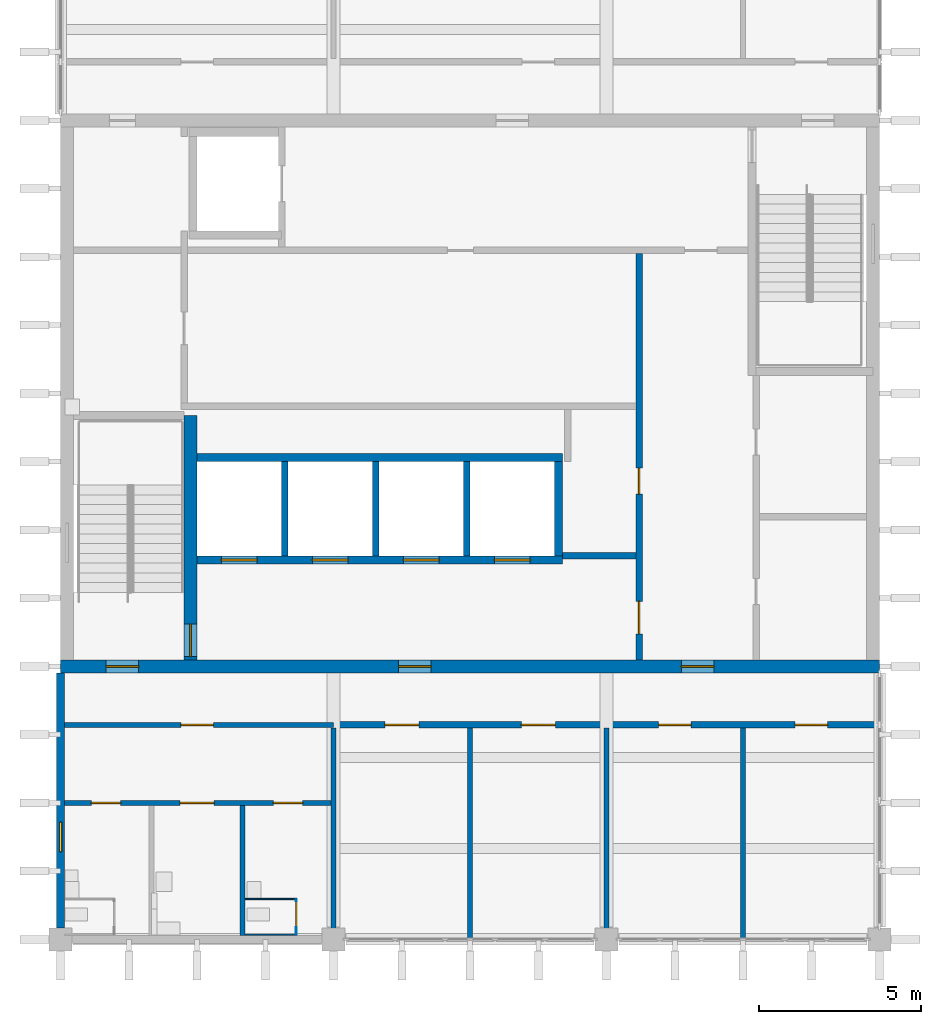
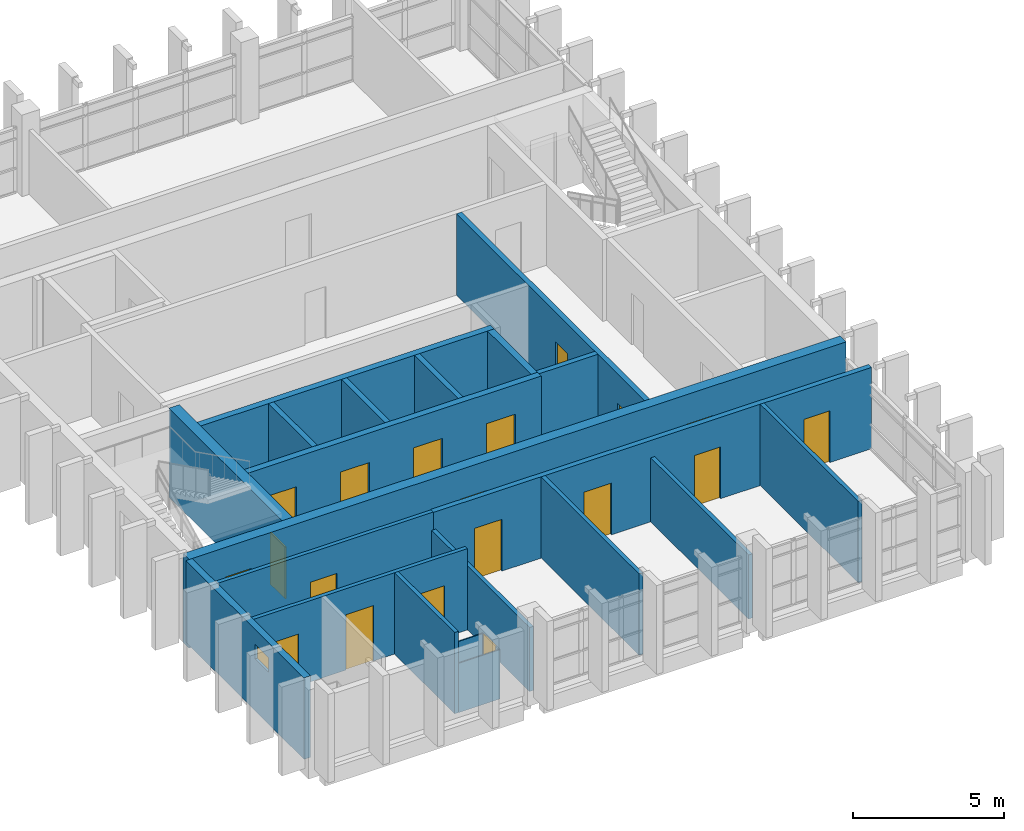
# One storey, part 7 of 11: 22 walls, 19 doors, 1 window, 20 openings.
"""IFC4 building model written with IfcOpenShell, lengths in metres."""

from ifc_helpers import new_model, si_unit, direction, frame, frame_2d, origin, place, context, subcontext, project, spatial, rectangle, extrude, material, layer, layer_set, type_object, element, fill, save


model = new_model("IFC4")

# Units and contexts
model_context = context("Model", 3, precision=1e-05, world=origin(), true_north=direction((0.0, 1.0)))
body_context = subcontext(model_context, "Body", "Model", "MODEL_VIEW")
ifc_project = project(units=[si_unit("LENGTHUNIT", "METRE"), si_unit("AREAUNIT", "SQUARE_METRE"), si_unit("VOLUMEUNIT", "CUBIC_METRE"), si_unit("PLANEANGLEUNIT", "RADIAN"), si_unit("MASSUNIT", "GRAM", prefix="KILO")], contexts=[model_context])

# Site, building, storey
site_placement = place(None, origin())
site = spatial("IfcSite", under=ifc_project, at=site_placement, CompositionType="ELEMENT")
building_placement = place(site_placement, origin())
building = spatial("IfcBuilding", under=site, at=building_placement, Name="Rulbaag Community and Learning Centre", CompositionType="ELEMENT")
storey_placement = place(building_placement, frame((0.0, 0.0, 50.39990234375)))
storey = spatial("IfcBuildingStorey", under=building, at=storey_placement, Name="L13", CompositionType="ELEMENT", Elevation=50.39990234375)

# Walls
ifc_material_1 = material(Name="High pressure laminate", Category="wood")
ifc_layer_1 = layer(ifc_material_1, 0.0400390625)
ifc_layer_set_1 = layer_set([ifc_layer_1], Name="CP-40")
wall_type_1 = type_object("IfcWallType", Name="CP-40", PredefinedType="PARTITIONING", material=ifc_layer_set_1)
for number, where, z_axis, x_axis, name in (
    (1, (148.47509765625, 84.14501953125, 0.0), (0.0, 0.0, 1.0), (1.0, 0.0, 0.0), "Cubicle partition"),
    (2, (148.47509765625, 85.239990234375, 0.0), (0.0, 0.0, 1.0), (1.0, 0.0, 0.0), "Cubicle partition"),
):
    element("IfcWall", number, at=place(storey_placement, frame(where, z_axis=z_axis, x_axis=x_axis)), inside=storey, type_object=wall_type_1, Name=name, PredefinedType="PARTITIONING", context=body_context, shape_type="SweptSolid", body=[
        extrude(rectangle(XDim=1.594970703125, YDim=0.0400390625, at=frame_2d((0.79736328125, 0.0))), origin(), (0.0, 0.0, 1.0), 2.0),
    ])

# Wall, opening, door
wall_1_placement = place(storey_placement, frame((150.050048828125, 84.1650390625, 0.0), z_axis=(0.0, 0.0, 1.0), x_axis=(0.0, 1.0, 0.0)))
wall_1 = element("IfcWall", 3, at=wall_1_placement, inside=storey, type_object=wall_type_1, Name="Cubicle partition", PredefinedType="PARTITIONING", context=body_context, shape_type="SweptSolid", body=[
    extrude(rectangle(XDim=1.054931640625, YDim=0.0400390625, at=frame_2d((0.52734375, 0.0))), origin(), (0.0, 0.0, 1.0), 2.0),
])
opening_1_placement = place(wall_1_placement, frame((0.205078125, 0.0, 0.0)))
opening_1 = element("IfcOpeningElement", 4, at=opening_1_placement, cuts=wall_1, Name="Opening L13-D013", PredefinedType="OPENING", context=body_context, shape_type="SweptSolid", body=[
    extrude(rectangle(XDim=0.800048828125, YDim=2.0, at=frame_2d((0.39990234375, 1.0))), frame((0.0, 0.030029296875, 0.0), z_axis=(0.0, -1.0, 0.0), x_axis=(1.0, 0.0, 0.0)), (0.0, 0.0, 1.0), 0.06005859375),
])
door_type_1 = type_object("IfcDoorType", Name="DC-80", OperationType="SINGLE_SWING_LEFT", PredefinedType="DOOR", material=ifc_material_1)
door_1_placement = place(opening_1_placement, origin())
door_1 = element("IfcDoor", 5, at=door_1_placement, inside=storey, type_object=door_type_1, Name="Cubicle door", OperationType="SINGLE_SWING_LEFT", OverallHeight=2.0, OverallWidth=0.800048828125, PredefinedType="DOOR", context=body_context, shape_type="SweptSolid", body=[
    extrude(rectangle(XDim=0.800048828125, YDim=2.0, at=frame_2d((0.39990234375, 1.0))), frame((0.0, 0.019775390625, 0.0), z_axis=(0.0, -1.0, 0.0), x_axis=(1.0, 0.0, 0.0)), (0.0, 0.0, 1.0), 0.03955078125),
])
fill(opening_1, door_1)

# Wall, opening, window
ifc_material_2 = material(Name="Concrete M40", Category="concrete")
ifc_layer_2 = layer(ifc_material_2, 0.25)
ifc_layer_set_2 = layer_set([ifc_layer_2], Name="EW-CONC250")
wall_type_2 = type_object("IfcWallType", Name="EW-CONC250", PredefinedType="STANDARD", material=ifc_layer_set_2)
wall_2_placement = place(storey_placement, frame((142.800048828125, 84.35009765625, 0.0), z_axis=(0.0, 0.0, 1.0), x_axis=(0.0, 1.0, 0.0)))
wall_2 = element("IfcWall", 6, at=wall_2_placement, inside=storey, type_object=wall_type_2, Name="Board-marked concrete cladding wall BW", PredefinedType="STANDARD", context=body_context, shape_type="SweptSolid", body=[
    extrude(rectangle(XDim=7.849853515625, YDim=0.25, at=frame_2d((3.9248046875, 0.0))), origin(), (0.0, 0.0, 1.0), 3.300048828125),
])
opening_2_placement = place(wall_2_placement, frame((2.35009765625, 0.0, 2.10009765625)))
opening_2 = element("IfcOpeningElement", 7, at=opening_2_placement, cuts=wall_2, Name="Opening WN5", PredefinedType="OPENING", context=body_context, shape_type="SweptSolid", body=[
    extrude(rectangle(XDim=0.89990234375, YDim=0.60009765625, at=frame_2d((0.449951171875, 0.300048828125))), frame((0.0, 0.135009765625, 0.0), z_axis=(0.0, -1.0, 0.0), x_axis=(1.0, 0.0, 0.0)), (0.0, 0.0, 1.0), 0.27001953125),
])
ifc_material_3 = material(Name="Aluminium", Category="aluminium")
window_type = type_object("IfcWindowType", Name="WK-09", PartitioningType="SINGLE_PANEL", PredefinedType="WINDOW", material=ifc_material_3)
window_placement = place(opening_2_placement, origin())
window = element("IfcWindow", 8, at=window_placement, inside=storey, type_object=window_type, Name="Window WN5", OverallHeight=0.60009765625, OverallWidth=0.89990234375, PartitioningType="SINGLE_PANEL", PredefinedType="WINDOW", context=body_context, shape_type="SweptSolid", body=[
    extrude(rectangle(XDim=0.89990234375, YDim=0.60009765625, at=frame_2d((0.449951171875, 0.300048828125))), frame((0.0, 0.030029296875, 0.0), z_axis=(0.0, -1.0, 0.0), x_axis=(1.0, 0.0, 0.0)), (0.0, 0.0, 1.0), 0.06005859375),
])
fill(opening_2, window)

# Wall, openings, doors
ifc_material_4 = material(Name="Concrete blockwork", Category="masonry")
ifc_layer_3 = layer(ifc_material_4, 0.199951171875)
ifc_layer_set_3 = layer_set([ifc_layer_3], Name="FW-200 FIRE WALL 200")
wall_type_3 = type_object("IfcWallType", Name="FW-200 FIRE WALL 200", PredefinedType="SOLIDWALL", material=ifc_layer_set_3)
wall_3_placement = place(storey_placement, frame((151.199951171875, 90.60009765625, 0.0), z_axis=(0.0, 0.0, 1.0), x_axis=(1.0, 0.0, 0.0)))
wall_3 = element("IfcWall", 9, at=wall_3_placement, inside=storey, type_object=wall_type_3, Name="Fire wall L13 3", PredefinedType="SOLIDWALL", context=body_context, shape_type="SweptSolid", body=[
    extrude(rectangle(XDim=16.800048828125, YDim=0.199951171875, at=frame_2d((8.39990234375, 0.0))), origin(), (0.0, 0.0, 1.0), 3.300048828125),
])
opening_3_placement = place(wall_3_placement, frame((1.574951171875, 0.0, 0.0)))
opening_3 = element("IfcOpeningElement", 10, at=opening_3_placement, cuts=wall_3, Name="Opening L13-D015", PredefinedType="OPENING", context=body_context, shape_type="SweptSolid", body=[
    extrude(rectangle(XDim=1.050048828125, YDim=2.10009765625, at=frame_2d((0.52490234375, 1.050048828125))), frame((0.0, 0.10986328125, 0.0), z_axis=(0.0, -1.0, 0.0), x_axis=(1.0, 0.0, 0.0)), (0.0, 0.0, 1.0), 0.219970703125),
])
opening_4_placement = place(wall_3_placement, frame((5.77490234375, 0.0, 0.0)))
opening_4 = element("IfcOpeningElement", 11, at=opening_4_placement, cuts=wall_3, Name="Opening L13-D021", PredefinedType="OPENING", context=body_context, shape_type="SweptSolid", body=[
    extrude(rectangle(XDim=1.050048828125, YDim=2.10009765625, at=frame_2d((0.52490234375, 1.050048828125))), frame((0.0, 0.10986328125, 0.0), z_axis=(0.0, -1.0, 0.0), x_axis=(1.0, 0.0, 0.0)), (0.0, 0.0, 1.0), 0.219970703125),
])
opening_5_placement = place(wall_3_placement, frame((10.0, 0.0, 0.0)))
opening_5 = element("IfcOpeningElement", 12, at=opening_5_placement, cuts=wall_3, Name="Opening L13-D025", PredefinedType="OPENING", context=body_context, shape_type="SweptSolid", body=[
    extrude(rectangle(XDim=1.0, YDim=2.10009765625, at=frame_2d((0.5, 1.050048828125))), frame((0.0, 0.10986328125, 0.0), z_axis=(0.0, -1.0, 0.0), x_axis=(1.0, 0.0, 0.0)), (0.0, 0.0, 1.0), 0.219970703125),
])
opening_6_placement = place(wall_3_placement, frame((14.199951171875, 0.0, 0.0)))
opening_6 = element("IfcOpeningElement", 13, at=opening_6_placement, cuts=wall_3, Name="Opening L13-D031", PredefinedType="OPENING", context=body_context, shape_type="SweptSolid", body=[
    extrude(rectangle(XDim=1.0, YDim=2.10009765625, at=frame_2d((0.5, 1.050048828125))), frame((0.0, 0.10986328125, 0.0), z_axis=(0.0, -1.0, 0.0), x_axis=(1.0, 0.0, 0.0)), (0.0, 0.0, 1.0), 0.219970703125),
])
ifc_material_5 = material(Name="Galvanised steel", Category="steel")
door_type_2 = type_object("IfcDoorType", Name="FD-1000 FIRE DOOR 1000 x 2100", OperationType="SINGLE_SWING_LEFT", PredefinedType="DOOR", material=ifc_material_5)
door_2_placement = place(opening_5_placement, origin())
door_2 = element("IfcDoor", 14, at=door_2_placement, inside=storey, type_object=door_type_2, Name="Door L13-D025", OperationType="SINGLE_SWING_RIGHT", OverallHeight=2.10009765625, OverallWidth=1.0, PredefinedType="DOOR", context=body_context, shape_type="SweptSolid", body=[
    extrude(rectangle(XDim=1.0, YDim=2.10009765625, at=frame_2d((0.5, 1.050048828125))), frame((0.0, 0.02490234375, 0.0), z_axis=(0.0, -1.0, 0.0), x_axis=(1.0, 0.0, 0.0)), (0.0, 0.0, 1.0), 0.050048828125),
])
fill(opening_5, door_2)
door_3_placement = place(opening_6_placement, origin())
door_3 = element("IfcDoor", 15, at=door_3_placement, inside=storey, type_object=door_type_2, Name="Door L13-D031", OperationType="SINGLE_SWING_RIGHT", OverallHeight=2.10009765625, OverallWidth=1.0, PredefinedType="DOOR", context=body_context, shape_type="SweptSolid", body=[
    extrude(rectangle(XDim=1.0, YDim=2.10009765625, at=frame_2d((0.5, 1.050048828125))), frame((0.0, 0.02490234375, 0.0), z_axis=(0.0, -1.0, 0.0), x_axis=(1.0, 0.0, 0.0)), (0.0, 0.0, 1.0), 0.050048828125),
])
fill(opening_6, door_3)
ifc_material_6 = material(Name="Timber", Category="wood")
door_type_3 = type_object("IfcDoorType", Name="FD-1050 GLAZED MEETING ROOM FIRE DOOR 1050 x 2100", OperationType="SINGLE_SWING_LEFT", PredefinedType="DOOR", material=ifc_material_6)
door_4_placement = place(opening_3_placement, origin())
door_4 = element("IfcDoor", 16, at=door_4_placement, inside=storey, type_object=door_type_3, Name="Door L13-D015", OperationType="SINGLE_SWING_LEFT", OverallHeight=2.10009765625, OverallWidth=1.050048828125, PredefinedType="DOOR", context=body_context, shape_type="SweptSolid", body=[
    extrude(rectangle(XDim=1.050048828125, YDim=2.10009765625, at=frame_2d((0.52490234375, 1.050048828125))), frame((0.0, 0.02490234375, 0.0), z_axis=(0.0, -1.0, 0.0), x_axis=(1.0, 0.0, 0.0)), (0.0, 0.0, 1.0), 0.050048828125),
])
fill(opening_3, door_4)
door_5_placement = place(opening_4_placement, origin())
door_5 = element("IfcDoor", 17, at=door_5_placement, inside=storey, type_object=door_type_3, Name="Door L13-D021", OperationType="SINGLE_SWING_LEFT", OverallHeight=2.10009765625, OverallWidth=1.050048828125, PredefinedType="DOOR", context=body_context, shape_type="SweptSolid", body=[
    extrude(rectangle(XDim=1.050048828125, YDim=2.10009765625, at=frame_2d((0.52490234375, 1.050048828125))), frame((0.0, 0.02490234375, 0.0), z_axis=(0.0, -1.0, 0.0), x_axis=(1.0, 0.0, 0.0)), (0.0, 0.0, 1.0), 0.050048828125),
])
fill(opening_4, door_5)

# Wall
wall_4_placement = place(storey_placement, frame((158.25, 95.800048828125, 0.0), z_axis=(0.0, 0.0, 1.0), x_axis=(1.0, 0.0, 0.0)))
element("IfcWall", 18, at=wall_4_placement, inside=storey, type_object=wall_type_3, Name="Fire wall L13 5", PredefinedType="SOLIDWALL", context=body_context, shape_type="SweptSolid", body=[
    extrude(rectangle(XDim=2.25, YDim=0.199951171875, at=frame_2d((1.125, 0.0))), origin(), (0.0, 0.0, 1.0), 3.300048828125),
])

# Wall, openings, doors
wall_5_placement = place(storey_placement, frame((160.60009765625, 92.60009765625, 0.0), z_axis=(0.0, 0.0, 1.0), x_axis=(0.0, 1.0, 0.0)))
wall_5 = element("IfcWall", 19, at=wall_5_placement, inside=storey, type_object=wall_type_3, Name="Fire wall L13 21", PredefinedType="SOLIDWALL", context=body_context, shape_type="SweptSolid", body=[
    extrude(rectangle(XDim=12.5, YDim=0.199951171875, at=frame_2d((6.25, 0.0))), origin(), (0.0, 0.0, 1.0), 3.300048828125),
])
opening_7_placement = place(wall_5_placement, frame((5.10009765625, 0.0, 0.0)))
opening_7 = element("IfcOpeningElement", 20, at=opening_7_placement, cuts=wall_5, Name="Opening L13-D024", PredefinedType="OPENING", context=body_context, shape_type="SweptSolid", body=[
    extrude(rectangle(XDim=0.800048828125, YDim=2.10009765625, at=frame_2d((0.39990234375, 1.050048828125))), frame((0.0, 0.10986328125, 0.0), z_axis=(0.0, -1.0, 0.0), x_axis=(1.0, 0.0, 0.0)), (0.0, 0.0, 1.0), 0.219970703125),
])
opening_8_placement = place(wall_5_placement, frame((0.800048828125, 0.0, 0.0)))
opening_8 = element("IfcOpeningElement", 21, at=opening_8_placement, cuts=wall_5, Name="Opening L13-D023", PredefinedType="OPENING", context=body_context, shape_type="SweptSolid", body=[
    extrude(rectangle(XDim=1.0, YDim=2.10009765625, at=frame_2d((0.5, 1.050048828125))), frame((0.0, 0.10986328125, 0.0), z_axis=(0.0, -1.0, 0.0), x_axis=(1.0, 0.0, 0.0)), (0.0, 0.0, 1.0), 0.219970703125),
])
door_6_placement = place(opening_8_placement, origin())
door_6 = element("IfcDoor", 22, at=door_6_placement, inside=storey, type_object=door_type_2, Name="Door L13-D023", OperationType="SINGLE_SWING_LEFT", OverallHeight=2.10009765625, OverallWidth=1.0, PredefinedType="DOOR", context=body_context, shape_type="SweptSolid", body=[
    extrude(rectangle(XDim=1.0, YDim=2.10009765625, at=frame_2d((0.5, 1.050048828125))), frame((0.0, 0.02490234375, 0.0), z_axis=(0.0, -1.0, 0.0), x_axis=(1.0, 0.0, 0.0)), (0.0, 0.0, 1.0), 0.050048828125),
])
fill(opening_8, door_6)
door_type_4 = type_object("IfcDoorType", Name="FDR-800 RISER FIRE DOOR 800 x 2100", OperationType="SINGLE_SWING_LEFT", PredefinedType="DOOR", material=ifc_material_5)
door_7_placement = place(opening_7_placement, origin())
door_7 = element("IfcDoor", 23, at=door_7_placement, inside=storey, type_object=door_type_4, Name="Riser door L13-D022", OperationType="SINGLE_SWING_RIGHT", OverallHeight=2.10009765625, OverallWidth=0.800048828125, PredefinedType="DOOR", context=body_context, shape_type="SweptSolid", body=[
    extrude(rectangle(XDim=0.800048828125, YDim=2.10009765625, at=frame_2d((0.39990234375, 1.050048828125))), frame((0.0, 0.02490234375, 0.0), z_axis=(0.0, -1.0, 0.0), x_axis=(1.0, 0.0, 0.0)), (0.0, 0.0, 1.0), 0.050048828125),
])
fill(opening_7, door_7)

ifc_layer_4 = layer(ifc_material_4, 0.14990234375)
ifc_layer_set_4 = layer_set([ifc_layer_4], Name="IP-150 PARTITION 150")
wall_type_4 = type_object("IfcWallType", Name="IP-150 PARTITION 150", PredefinedType="PARTITIONING", material=ifc_layer_set_4)
wall_6_placement = place(storey_placement, frame((142.925048828125, 88.199951171875, 0.0), z_axis=(0.0, 0.0, 1.0), x_axis=(1.0, 0.0, 0.0)))
wall_6 = element("IfcWall", 24, at=wall_6_placement, inside=storey, type_object=wall_type_4, Name="Partition L13 1", PredefinedType="PARTITIONING", context=body_context, shape_type="SweptSolid", body=[
    extrude(rectangle(XDim=8.199951171875, YDim=0.14990234375, at=frame_2d((4.10009765625, 0.0))), origin(), (0.0, 0.0, 1.0), 3.300048828125),
])
opening_9_placement = place(wall_6_placement, frame((0.824951171875, 0.0, 0.0)))
opening_9 = element("IfcOpeningElement", 25, at=opening_9_placement, cuts=wall_6, Name="Opening L13-D001", PredefinedType="OPENING", context=body_context, shape_type="SweptSolid", body=[
    extrude(rectangle(XDim=0.89990234375, YDim=2.10009765625, at=frame_2d((0.449951171875, 1.050048828125))), frame((0.0, 0.0849609375, 0.0), z_axis=(0.0, -1.0, 0.0), x_axis=(1.0, 0.0, 0.0)), (0.0, 0.0, 1.0), 0.169921875),
])
opening_10_placement = place(wall_6_placement, frame((3.550048828125, 0.0, 0.0)))
opening_10 = element("IfcOpeningElement", 26, at=opening_10_placement, cuts=wall_6, Name="Opening L13-D007", PredefinedType="OPENING", context=body_context, shape_type="SweptSolid", body=[
    extrude(rectangle(XDim=1.050048828125, YDim=2.25, at=frame_2d((0.52490234375, 1.125))), frame((0.0, 0.0849609375, 0.0), z_axis=(0.0, -1.0, 0.0), x_axis=(1.0, 0.0, 0.0)), (0.0, 0.0, 1.0), 0.169921875),
])
opening_11_placement = place(wall_6_placement, frame((6.425048828125, 0.0, 0.0)))
opening_11 = element("IfcOpeningElement", 27, at=opening_11_placement, cuts=wall_6, Name="Opening L13-D012", PredefinedType="OPENING", context=body_context, shape_type="SweptSolid", body=[
    extrude(rectangle(XDim=0.89990234375, YDim=2.10009765625, at=frame_2d((0.449951171875, 1.050048828125))), frame((0.0, 0.0849609375, 0.0), z_axis=(0.0, -1.0, 0.0), x_axis=(1.0, 0.0, 0.0)), (0.0, 0.0, 1.0), 0.169921875),
])
door_type_5 = type_object("IfcDoorType", Name="D-1050 ACCESSIBLE TOILET DOOR 1050 x 2250", OperationType="SINGLE_SWING_LEFT", PredefinedType="DOOR", material=ifc_material_6)
door_8_placement = place(opening_10_placement, origin())
door_8 = element("IfcDoor", 28, at=door_8_placement, inside=storey, type_object=door_type_5, Name="Door L13-D007", OperationType="SINGLE_SWING_LEFT", OverallHeight=2.25, OverallWidth=1.050048828125, PredefinedType="DOOR", context=body_context, shape_type="SweptSolid", body=[
    extrude(rectangle(XDim=1.050048828125, YDim=2.25, at=frame_2d((0.52490234375, 1.125))), frame((0.0, 0.02490234375, 0.0), z_axis=(0.0, -1.0, 0.0), x_axis=(1.0, 0.0, 0.0)), (0.0, 0.0, 1.0), 0.050048828125),
])
fill(opening_10, door_8)
door_type_6 = type_object("IfcDoorType", Name="DW-900 TOILET DOOR 900 x 2100", OperationType="SINGLE_SWING_LEFT", PredefinedType="DOOR", material=ifc_material_6)
door_9_placement = place(opening_9_placement, origin())
door_9 = element("IfcDoor", 29, at=door_9_placement, inside=storey, type_object=door_type_6, Name="Door L13-D001", OperationType="SINGLE_SWING_LEFT", OverallHeight=2.10009765625, OverallWidth=0.89990234375, PredefinedType="DOOR", context=body_context, shape_type="SweptSolid", body=[
    extrude(rectangle(XDim=0.89990234375, YDim=2.10009765625, at=frame_2d((0.449951171875, 1.050048828125))), frame((0.0, 0.02490234375, 0.0), z_axis=(0.0, -1.0, 0.0), x_axis=(1.0, 0.0, 0.0)), (0.0, 0.0, 1.0), 0.050048828125),
])
fill(opening_9, door_9)
door_10_placement = place(opening_11_placement, origin())
door_10 = element("IfcDoor", 30, at=door_10_placement, inside=storey, type_object=door_type_6, Name="Door L13-D012", OperationType="SINGLE_SWING_RIGHT", OverallHeight=2.10009765625, OverallWidth=0.89990234375, PredefinedType="DOOR", context=body_context, shape_type="SweptSolid", body=[
    extrude(rectangle(XDim=0.89990234375, YDim=2.10009765625, at=frame_2d((0.449951171875, 1.050048828125))), frame((0.0, 0.02490234375, 0.0), z_axis=(0.0, -1.0, 0.0), x_axis=(1.0, 0.0, 0.0)), (0.0, 0.0, 1.0), 0.050048828125),
])
fill(opening_11, door_10)

# Wall, opening, door
wall_7_placement = place(storey_placement, frame((142.925048828125, 90.60009765625, 0.0), z_axis=(0.0, 0.0, 1.0), x_axis=(1.0, 0.0, 0.0)))
wall_7 = element("IfcWall", 31, at=wall_7_placement, inside=storey, type_object=wall_type_4, Name="Partition L13 2", PredefinedType="PARTITIONING", context=body_context, shape_type="SweptSolid", body=[
    extrude(rectangle(XDim=8.27490234375, YDim=0.14990234375, at=frame_2d((4.137451171875, 0.0))), origin(), (0.0, 0.0, 1.0), 3.300048828125),
])
opening_12_placement = place(wall_7_placement, frame((3.574951171875, 0.0, 0.0)))
opening_12 = element("IfcOpeningElement", 32, at=opening_12_placement, cuts=wall_7, Name="Opening L13-D008", PredefinedType="OPENING", context=body_context, shape_type="SweptSolid", body=[
    extrude(rectangle(XDim=1.0, YDim=2.10009765625, at=frame_2d((0.5, 1.050048828125))), frame((0.0, 0.0849609375, 0.0), z_axis=(0.0, -1.0, 0.0), x_axis=(1.0, 0.0, 0.0)), (0.0, 0.0, 1.0), 0.169921875),
])
door_type_7 = type_object("IfcDoorType", Name="D-1000 DOOR 1000 x 2100", OperationType="SINGLE_SWING_LEFT", PredefinedType="DOOR", material=ifc_material_6)
door_11_placement = place(opening_12_placement, origin())
door_11 = element("IfcDoor", 33, at=door_11_placement, inside=storey, type_object=door_type_7, Name="Door L13-D008", OperationType="SINGLE_SWING_RIGHT", OverallHeight=2.10009765625, OverallWidth=1.0, PredefinedType="DOOR", context=body_context, shape_type="SweptSolid", body=[
    extrude(rectangle(XDim=1.0, YDim=2.10009765625, at=frame_2d((0.5, 1.050048828125))), frame((0.0, 0.02490234375, 0.0), z_axis=(0.0, -1.0, 0.0), x_axis=(1.0, 0.0, 0.0)), (0.0, 0.0, 1.0), 0.050048828125),
])
fill(opening_12, door_11)

# Walls
wall_8_placement = place(storey_placement, frame((148.39990234375, 84.125, 0.0), z_axis=(0.0, 0.0, 1.0), x_axis=(0.0, 1.0, 0.0)))
element("IfcWall", 34, at=wall_8_placement, inside=storey, type_object=wall_type_4, Name="Partition L13 14", PredefinedType="PARTITIONING", context=body_context, shape_type="SweptSolid", body=[
    extrude(rectangle(XDim=4.0, YDim=0.14990234375, at=frame_2d((2.0, 0.0))), origin(), (0.0, 0.0, 1.0), 3.300048828125),
])
wall_9_placement = place(storey_placement, frame((151.199951171875, 84.0, 0.0), z_axis=(0.0, 0.0, 1.0), x_axis=(0.0, 1.0, 0.0)))
element("IfcWall", 35, at=wall_9_placement, inside=storey, type_object=wall_type_4, Name="Partition L13 16", PredefinedType="PARTITIONING", context=body_context, shape_type="SweptSolid", body=[
    extrude(rectangle(XDim=6.5, YDim=0.14990234375, at=frame_2d((3.25, 0.0))), origin(), (0.0, 0.0, 1.0), 2.60009765625),
])
wall_10_placement = place(storey_placement, frame((155.39990234375, 84.0, 0.0), z_axis=(0.0, 0.0, 1.0), x_axis=(0.0, 1.0, 0.0)))
element("IfcWall", 36, at=wall_10_placement, inside=storey, type_object=wall_type_4, Name="Partition L13 18", PredefinedType="PARTITIONING", context=body_context, shape_type="SweptSolid", body=[
    extrude(rectangle(XDim=6.5, YDim=0.14990234375, at=frame_2d((3.25, 0.0))), origin(), (0.0, 0.0, 1.0), 3.300048828125),
])
wall_11_placement = place(storey_placement, frame((159.60009765625, 84.0, 0.0), z_axis=(0.0, 0.0, 1.0), x_axis=(0.0, 1.0, 0.0)))
element("IfcWall", 37, at=wall_11_placement, inside=storey, type_object=wall_type_4, Name="Partition L13 20", PredefinedType="PARTITIONING", context=body_context, shape_type="SweptSolid", body=[
    extrude(rectangle(XDim=6.5, YDim=0.14990234375, at=frame_2d((3.25, 0.0))), origin(), (0.0, 0.0, 1.0), 2.60009765625),
])
wall_12_placement = place(storey_placement, frame((163.800048828125, 84.0, 0.0), z_axis=(0.0, 0.0, 1.0), x_axis=(0.0, 1.0, 0.0)))
element("IfcWall", 38, at=wall_12_placement, inside=storey, type_object=wall_type_4, Name="Partition L13 22", PredefinedType="PARTITIONING", context=body_context, shape_type="SweptSolid", body=[
    extrude(rectangle(XDim=6.5, YDim=0.14990234375, at=frame_2d((3.25, 0.0))), origin(), (0.0, 0.0, 1.0), 3.300048828125),
])

# Wall, openings, doors
ifc_material_7 = material(Name="Concrete M60", Category="concrete")
ifc_layer_5 = layer(ifc_material_7, 0.39990234375)
ifc_layer_set_5 = layer_set([ifc_layer_5], Name="W2 Core wall 400 Concrete M60")
wall_type_5 = type_object("IfcWallType", Name="W2 Core wall 400 Concrete M60", PredefinedType="SHEAR", material=ifc_layer_set_5)
wall_13_placement = place(storey_placement, frame((142.800048828125, 92.39990234375, -0.2998046875), z_axis=(0.0, 0.0, 1.0), x_axis=(1.0, 0.0, 0.0)))
wall_13 = element("IfcWall", 39, at=wall_13_placement, inside=storey, type_object=wall_type_5, Name="WL-CORE-S-L13", PredefinedType="SHEAR", context=body_context, shape_type="SweptSolid", body=[
    extrude(rectangle(XDim=25.199951171875, YDim=0.39990234375, at=frame_2d((12.60009765625, 0.0))), origin(), (0.0, 0.0, 1.0), 3.599853515625),
])
opening_13_placement = place(wall_13_placement, frame((1.39990234375, 0.0, 0.300048828125)))
opening_13 = element("IfcOpeningElement", 40, at=opening_13_placement, cuts=wall_13, Name="Opening L13-D003", PredefinedType="OPENING", context=body_context, shape_type="SweptSolid", body=[
    extrude(rectangle(XDim=1.0, YDim=2.10009765625, at=frame_2d((0.5, 1.050048828125))), frame((0.0, 0.2099609375, 0.0), z_axis=(0.0, -1.0, 0.0), x_axis=(1.0, 0.0, 0.0)), (0.0, 0.0, 1.0), 0.419921875),
])
opening_14_placement = place(wall_13_placement, frame((19.10009765625, 0.0, 0.300048828125)))
opening_14 = element("IfcOpeningElement", 41, at=opening_14_placement, cuts=wall_13, Name="Opening L13-D026", PredefinedType="OPENING", context=body_context, shape_type="SweptSolid", body=[
    extrude(rectangle(XDim=1.0, YDim=2.10009765625, at=frame_2d((0.5, 1.050048828125))), frame((0.0, 0.2099609375, 0.0), z_axis=(0.0, -1.0, 0.0), x_axis=(1.0, 0.0, 0.0)), (0.0, 0.0, 1.0), 0.419921875),
])
opening_15_placement = place(wall_13_placement, frame((10.39990234375, 0.0, 0.300048828125)))
opening_15 = element("IfcOpeningElement", 42, at=opening_15_placement, cuts=wall_13, Name="Opening L13-D016", PredefinedType="OPENING", context=body_context, shape_type="SweptSolid", body=[
    extrude(rectangle(XDim=1.0, YDim=2.10009765625, at=frame_2d((0.5, 1.050048828125))), frame((0.0, 0.2099609375, 0.0), z_axis=(0.0, -1.0, 0.0), x_axis=(1.0, 0.0, 0.0)), (0.0, 0.0, 1.0), 0.419921875),
])
door_12_placement = place(opening_14_placement, origin())
door_12 = element("IfcDoor", 43, at=door_12_placement, inside=storey, type_object=door_type_7, Name="Door L13-D026", OperationType="SINGLE_SWING_LEFT", OverallHeight=2.10009765625, OverallWidth=1.0, PredefinedType="DOOR", context=body_context, shape_type="SweptSolid", body=[
    extrude(rectangle(XDim=1.0, YDim=2.10009765625, at=frame_2d((0.5, 1.050048828125))), frame((0.0, 0.02490234375, 0.0), z_axis=(0.0, -1.0, 0.0), x_axis=(1.0, 0.0, 0.0)), (0.0, 0.0, 1.0), 0.050048828125),
])
fill(opening_14, door_12)
door_13_placement = place(opening_13_placement, origin())
door_13 = element("IfcDoor", 44, at=door_13_placement, inside=storey, type_object=door_type_2, Name="Door L13-D003", OperationType="SINGLE_SWING_RIGHT", OverallHeight=2.10009765625, OverallWidth=1.0, PredefinedType="DOOR", context=body_context, shape_type="SweptSolid", body=[
    extrude(rectangle(XDim=1.0, YDim=2.10009765625, at=frame_2d((0.5, 1.050048828125))), frame((0.0, 0.02490234375, 0.0), z_axis=(0.0, -1.0, 0.0), x_axis=(1.0, 0.0, 0.0)), (0.0, 0.0, 1.0), 0.050048828125),
])
fill(opening_13, door_13)
door_14_placement = place(opening_15_placement, origin())
door_14 = element("IfcDoor", 45, at=door_14_placement, inside=storey, type_object=door_type_2, Name="Door L13-D016", OperationType="SINGLE_SWING_RIGHT", OverallHeight=2.10009765625, OverallWidth=1.0, PredefinedType="DOOR", context=body_context, shape_type="SweptSolid", body=[
    extrude(rectangle(XDim=1.0, YDim=2.10009765625, at=frame_2d((0.5, 1.050048828125))), frame((0.0, 0.02490234375, 0.0), z_axis=(0.0, -1.0, 0.0), x_axis=(1.0, 0.0, 0.0)), (0.0, 0.0, 1.0), 0.050048828125),
])
fill(opening_15, door_14)

ifc_layer_6 = layer(ifc_material_2, 0.25)
ifc_layer_set_6 = layer_set([ifc_layer_6], Name="W5 Shaft wall 250 Concrete M40")
wall_type_6 = type_object("IfcWallType", Name="W5 Shaft wall 250 Concrete M40", PredefinedType="SHEAR", material=ifc_layer_set_6)
wall_14_placement = place(storey_placement, frame((147.0, 95.675048828125, -0.2998046875), z_axis=(0.0, 0.0, 1.0), x_axis=(1.0, 0.0, 0.0)))
wall_14 = element("IfcWall", 46, at=wall_14_placement, inside=storey, type_object=wall_type_6, Name="WL-LP-S-L13", PredefinedType="SHEAR", context=body_context, shape_type="SweptSolid", body=[
    extrude(rectangle(XDim=11.25, YDim=0.25, at=frame_2d((5.625, 0.0))), origin(), (0.0, 0.0, 1.0), 3.599853515625),
])
opening_16_placement = place(wall_14_placement, frame((0.75, 0.0, 0.300048828125)))
opening_16 = element("IfcOpeningElement", 47, at=opening_16_placement, cuts=wall_14, Name="Opening L13-D010", PredefinedType="OPENING", context=body_context, shape_type="SweptSolid", body=[
    extrude(rectangle(XDim=1.10009765625, YDim=2.10009765625, at=frame_2d((0.550048828125, 1.050048828125))), frame((0.0, 0.135009765625, 0.0), z_axis=(0.0, -1.0, 0.0), x_axis=(1.0, 0.0, 0.0)), (0.0, 0.0, 1.0), 0.27001953125),
])
opening_17_placement = place(wall_14_placement, frame((3.550048828125, 0.0, 0.300048828125)))
opening_17 = element("IfcOpeningElement", 48, at=opening_17_placement, cuts=wall_14, Name="Opening L13-D014", PredefinedType="OPENING", context=body_context, shape_type="SweptSolid", body=[
    extrude(rectangle(XDim=1.10009765625, YDim=2.10009765625, at=frame_2d((0.550048828125, 1.050048828125))), frame((0.0, 0.135009765625, 0.0), z_axis=(0.0, -1.0, 0.0), x_axis=(1.0, 0.0, 0.0)), (0.0, 0.0, 1.0), 0.27001953125),
])
opening_18_placement = place(wall_14_placement, frame((6.35009765625, 0.0, 0.300048828125)))
opening_18 = element("IfcOpeningElement", 49, at=opening_18_placement, cuts=wall_14, Name="Opening L13-D017", PredefinedType="OPENING", context=body_context, shape_type="SweptSolid", body=[
    extrude(rectangle(XDim=1.10009765625, YDim=2.10009765625, at=frame_2d((0.550048828125, 1.050048828125))), frame((0.0, 0.135009765625, 0.0), z_axis=(0.0, -1.0, 0.0), x_axis=(1.0, 0.0, 0.0)), (0.0, 0.0, 1.0), 0.27001953125),
])
opening_19_placement = place(wall_14_placement, frame((9.14990234375, 0.0, 0.300048828125)))
opening_19 = element("IfcOpeningElement", 50, at=opening_19_placement, cuts=wall_14, Name="Opening L13-D019", PredefinedType="OPENING", context=body_context, shape_type="SweptSolid", body=[
    extrude(rectangle(XDim=1.10009765625, YDim=2.10009765625, at=frame_2d((0.550048828125, 1.050048828125))), frame((0.0, 0.135009765625, 0.0), z_axis=(0.0, -1.0, 0.0), x_axis=(1.0, 0.0, 0.0)), (0.0, 0.0, 1.0), 0.27001953125),
])
ifc_material_8 = material(Name="Stainless steel grade 304", Category="steel")
door_type_8 = type_object("IfcDoorType", Name="LD-1100 LIFT LANDING DOOR 1100 x 2100", OperationType="SLIDING_TO_LEFT", PredefinedType="DOOR", material=ifc_material_8)
door_15_placement = place(opening_16_placement, origin())
door_15 = element("IfcDoor", 51, at=door_15_placement, inside=storey, type_object=door_type_8, Name="Lift landing door LP1 L13", OperationType="SLIDING_TO_LEFT", OverallHeight=2.10009765625, OverallWidth=1.10009765625, PredefinedType="DOOR", context=body_context, shape_type="SweptSolid", body=[
    extrude(rectangle(XDim=1.10009765625, YDim=2.10009765625, at=frame_2d((0.550048828125, 1.050048828125))), frame((0.0, 0.02490234375, 0.0), z_axis=(0.0, -1.0, 0.0), x_axis=(1.0, 0.0, 0.0)), (0.0, 0.0, 1.0), 0.050048828125),
])
fill(opening_16, door_15)
door_16_placement = place(opening_17_placement, origin())
door_16 = element("IfcDoor", 52, at=door_16_placement, inside=storey, type_object=door_type_8, Name="Lift landing door LP2 L13", OperationType="SLIDING_TO_LEFT", OverallHeight=2.10009765625, OverallWidth=1.10009765625, PredefinedType="DOOR", context=body_context, shape_type="SweptSolid", body=[
    extrude(rectangle(XDim=1.10009765625, YDim=2.10009765625, at=frame_2d((0.550048828125, 1.050048828125))), frame((0.0, 0.02490234375, 0.0), z_axis=(0.0, -1.0, 0.0), x_axis=(1.0, 0.0, 0.0)), (0.0, 0.0, 1.0), 0.050048828125),
])
fill(opening_17, door_16)
door_17_placement = place(opening_18_placement, origin())
door_17 = element("IfcDoor", 53, at=door_17_placement, inside=storey, type_object=door_type_8, Name="Lift landing door LP3 L13", OperationType="SLIDING_TO_LEFT", OverallHeight=2.10009765625, OverallWidth=1.10009765625, PredefinedType="DOOR", context=body_context, shape_type="SweptSolid", body=[
    extrude(rectangle(XDim=1.10009765625, YDim=2.10009765625, at=frame_2d((0.550048828125, 1.050048828125))), frame((0.0, 0.02490234375, 0.0), z_axis=(0.0, -1.0, 0.0), x_axis=(1.0, 0.0, 0.0)), (0.0, 0.0, 1.0), 0.050048828125),
])
fill(opening_18, door_17)
door_18_placement = place(opening_19_placement, origin())
door_18 = element("IfcDoor", 54, at=door_18_placement, inside=storey, type_object=door_type_8, Name="Lift landing door LP4 L13", OperationType="SLIDING_TO_LEFT", OverallHeight=2.10009765625, OverallWidth=1.10009765625, PredefinedType="DOOR", context=body_context, shape_type="SweptSolid", body=[
    extrude(rectangle(XDim=1.10009765625, YDim=2.10009765625, at=frame_2d((0.550048828125, 1.050048828125))), frame((0.0, 0.02490234375, 0.0), z_axis=(0.0, -1.0, 0.0), x_axis=(1.0, 0.0, 0.0)), (0.0, 0.0, 1.0), 0.050048828125),
])
fill(opening_19, door_18)

# Walls
wall_15_placement = place(storey_placement, frame((147.0, 98.824951171875, -0.2998046875), z_axis=(0.0, 0.0, 1.0), x_axis=(1.0, 0.0, 0.0)))
element("IfcWall", 55, at=wall_15_placement, inside=storey, type_object=wall_type_6, Name="WL-LP-N-L13", PredefinedType="SHEAR", context=body_context, shape_type="SweptSolid", body=[
    extrude(rectangle(XDim=11.25, YDim=0.25, at=frame_2d((5.625, 0.0))), origin(), (0.0, 0.0, 1.0), 3.599853515625),
])
wall_16_placement = place(storey_placement, frame((158.125, 95.800048828125, -0.2998046875), z_axis=(0.0, 0.0, 1.0), x_axis=(0.0, 1.0, 0.0)))
element("IfcWall", 56, at=wall_16_placement, inside=storey, type_object=wall_type_6, Name="WL-LP-E-L13", PredefinedType="SHEAR", context=body_context, shape_type="SweptSolid", body=[
    extrude(rectangle(XDim=2.89990234375, YDim=0.25, at=frame_2d((1.449951171875, 0.0))), origin(), (0.0, 0.0, 1.0), 3.599853515625),
])
ifc_layer_7 = layer(ifc_material_2, 0.199951171875)
ifc_layer_set_7 = layer_set([ifc_layer_7], Name="W6 Shaft divider 200 Concrete M40")
wall_type_7 = type_object("IfcWallType", Name="W6 Shaft divider 200 Concrete M40", PredefinedType="SHEAR", material=ifc_layer_set_7)
for number, where, z_axis, x_axis, name in (
    (57, (149.699951171875, 95.800048828125, -0.2998046875), (0.0, 0.0, 1.0), (0.0, 1.0, 0.0), "WL-LP-D1-L13"),
    (58, (152.5, 95.800048828125, -0.2998046875), (0.0, 0.0, 1.0), (0.0, 1.0, 0.0), "WL-LP-D2-L13"),
    (59, (155.300048828125, 95.800048828125, -0.2998046875), (0.0, 0.0, 1.0), (0.0, 1.0, 0.0), "WL-LP-D3-L13"),
):
    element("IfcWall", number, at=place(storey_placement, frame(where, z_axis=z_axis, x_axis=x_axis)), inside=storey, type_object=wall_type_7, Name=name, PredefinedType="SHEAR", context=body_context, shape_type="SweptSolid", body=[
        extrude(rectangle(XDim=2.89990234375, YDim=0.199951171875, at=frame_2d((1.449951171875, 0.0))), origin(), (0.0, 0.0, 1.0), 3.599853515625),
    ])

# Wall, opening, door
ifc_layer_8 = layer(ifc_material_2, 0.39990234375)
ifc_layer_set_8 = layer_set([ifc_layer_8], Name="W7 Stair wall 400 Concrete M40")
wall_type_8 = type_object("IfcWallType", Name="W7 Stair wall 400 Concrete M40", PredefinedType="SHEAR", material=ifc_layer_set_8)
wall_17_placement = place(storey_placement, frame((146.800048828125, 92.60009765625, -0.2998046875), z_axis=(0.0, 0.0, 1.0), x_axis=(0.0, 1.0, 0.0)))
wall_17 = element("IfcWall", 60, at=wall_17_placement, inside=storey, type_object=wall_type_8, Name="WL-ST1-E-L13", PredefinedType="SHEAR", context=body_context, shape_type="SweptSolid", body=[
    extrude(rectangle(XDim=7.52490234375, YDim=0.39990234375, at=frame_2d((3.762451171875, 0.0))), origin(), (0.0, 0.0, 1.0), 3.599853515625),
])
opening_20_placement = place(wall_17_placement, frame((0.10009765625, 0.0, 0.300048828125)))
opening_20 = element("IfcOpeningElement", 61, at=opening_20_placement, cuts=wall_17, Name="Opening L13-D006", PredefinedType="OPENING", context=body_context, shape_type="SweptSolid", body=[
    extrude(rectangle(XDim=1.0, YDim=2.10009765625, at=frame_2d((0.5, 1.050048828125))), frame((0.0, 0.2099609375, 0.0), z_axis=(0.0, -1.0, 0.0), x_axis=(1.0, 0.0, 0.0)), (0.0, 0.0, 1.0), 0.419921875),
])
door_19_placement = place(opening_20_placement, origin())
door_19 = element("IfcDoor", 62, at=door_19_placement, inside=storey, type_object=door_type_2, Name="Door L13-D006", OperationType="SINGLE_SWING_RIGHT", OverallHeight=2.10009765625, OverallWidth=1.0, PredefinedType="DOOR", context=body_context, shape_type="SweptSolid", body=[
    extrude(rectangle(XDim=1.0, YDim=2.10009765625, at=frame_2d((0.5, 1.050048828125))), frame((0.0, 0.02490234375, 0.0), z_axis=(0.0, -1.0, 0.0), x_axis=(1.0, 0.0, 0.0)), (0.0, 0.0, 1.0), 0.050048828125),
])
fill(opening_20, door_19)

save(model, "model.ifc")
